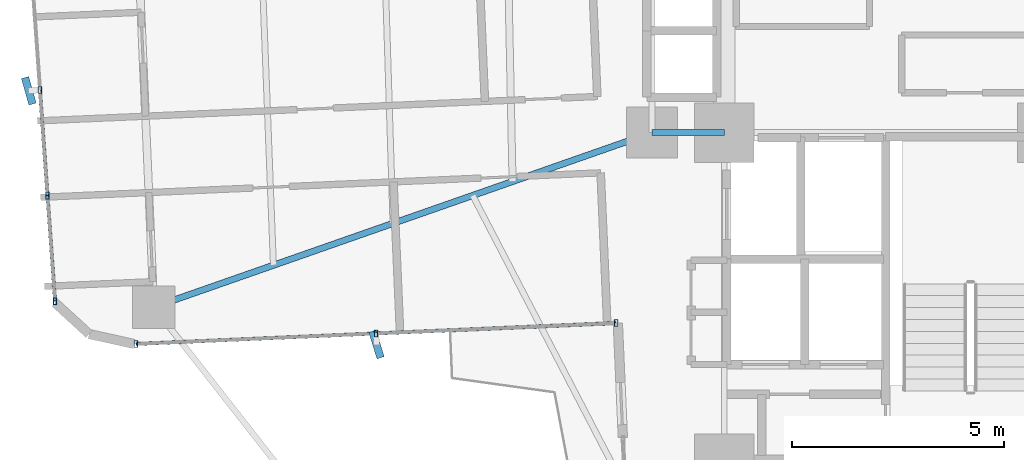
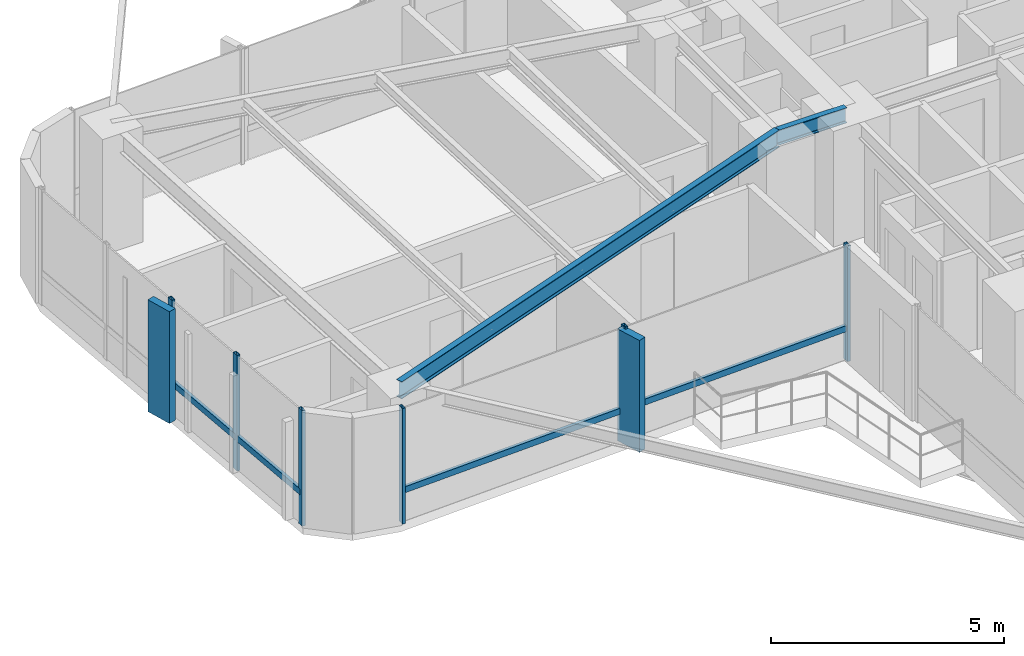
# One storey, part 8 of 26: 12 members, 2 beams, 2 elements without a shape of their own.
"""IFC4 building model written with IfcOpenShell, lengths in metres."""

from ifc_helpers import new_model, si_unit, direction, frame, origin, origin_2d, place, context, subcontext, project, spatial, rectangle, hollow_rectangle, i_section, extrude, source, transform, mapped, material, material_profile, profile_set, type_object, element, aggregate, save


model = new_model("IFC4")

# Units and contexts
model_context = context("Model", 3, precision=1e-05, world=origin(), true_north=direction((0.0, 1.0)))
body_context = subcontext(model_context, "Body", "Model", "MODEL_VIEW")
ifc_project = project(units=[si_unit("LENGTHUNIT", "METRE"), si_unit("AREAUNIT", "SQUARE_METRE"), si_unit("VOLUMEUNIT", "CUBIC_METRE"), si_unit("PLANEANGLEUNIT", "RADIAN"), si_unit("MASSUNIT", "GRAM", prefix="KILO")], contexts=[model_context])

# Site, building, storey
site_placement = place(None, origin())
site = spatial("IfcSite", under=ifc_project, at=site_placement, CompositionType="ELEMENT")
building_placement = place(site_placement, origin())
building = spatial("IfcBuilding", under=site, at=building_placement, Name="Sahyath Konkavel Grand Hotel", CompositionType="ELEMENT")
storey_placement = place(building_placement, frame((0.0, 0.0, 134.89990234375)))
storey = spatial("IfcBuildingStorey", under=building, at=storey_placement, Name="L37", CompositionType="ELEMENT", Elevation=134.89990234375)

# Beams
ifc_material_1 = material(Name="Steel E350", Category="steel")
ifc_material_profile_1 = material_profile(ifc_material_1, i_section(OverallWidth=0.139892578125, OverallDepth=0.39990234375, WebThickness=0.0087890625, FlangeThickness=0.01611328125, FilletRadius=0.013916015625, at=origin_2d()), Name="ISMB 400")
ifc_profile_set_1 = profile_set([ifc_material_profile_1], Name="Steel E350")
beam_type_1 = type_object("IfcBeamType", Name="BM-ISMB400", PredefinedType="BEAM", material=ifc_profile_set_1)
shared_shape_1 = source(origin(), body_context, "Body", "SweptSolid", [
    extrude(i_section(OverallWidth=0.139892578125, OverallDepth=0.39990234375, WebThickness=0.0087890625, FlangeThickness=0.01611328125, FilletRadius=0.013916015625, at=origin_2d()), origin(), (0.0, 0.0, 1.0), 1.699951171875),
])
beam_1_placement = place(storey_placement, frame((-5.5, -2.39990234375, 2.830078125), z_axis=(1.0, 0.0, 0.0), x_axis=(0.0, 1.0, 0.0)))
element("IfcBeam", 1, at=beam_1_placement, inside=storey, type_object=beam_type_1, Name="str:bm:L37:HB-SW", PredefinedType="BEAM", context=body_context, shape_type="MappedRepresentation", body=[
    mapped(shared_shape_1, transform((0.0, 0.0, 0.0), scale=1.0)),
])
ifc_material_profile_2 = material_profile(ifc_material_1, i_section(OverallWidth=0.14990234375, OverallDepth=0.449951171875, WebThickness=0.009521484375, FlangeThickness=0.017333984375, FilletRadius=0.014892578125, at=origin_2d()), Name="ISMB 450")
ifc_profile_set_2 = profile_set([ifc_material_profile_2], Name="Steel E350")
beam_type_2 = type_object("IfcBeamType", Name="BM-ISMB450", PredefinedType="BEAM", material=ifc_profile_set_2)
shared_shape_2 = source(origin(), body_context, "Body", "SweptSolid", [
    extrude(i_section(OverallWidth=0.14990234375, OverallDepth=0.449951171875, WebThickness=0.009521484375, FlangeThickness=0.017333984375, FilletRadius=0.014892578125, at=origin_2d()), origin(), (0.0, 0.0, 1.0), 12.430908203125),
])
beam_2_placement = place(storey_placement, frame((-5.5, -2.39990234375, 2.80517578125), z_axis=(-0.943819157235, -0.330462400941, 0.0), x_axis=(0.330462400941, -0.943819157235, 0.0)))
element("IfcBeam", 2, at=beam_2_placement, inside=storey, type_object=beam_type_2, Name="L37 Cruciform Radial Girder WB", PredefinedType="BEAM", context=body_context, shape_type="MappedRepresentation", body=[
    mapped(shared_shape_2, transform((0.0, 0.0, 0.0), scale=1.0)),
])

# Curtain wall, members
ifc_material_2 = material(Name="Anodised Bronze Aluminium & Low-E Glazing", Category="aluminium")
curtain_wall_type = type_object("IfcCurtainWallType", Name="CW-ZONE2", PredefinedType="NOTDEFINED", material=ifc_material_2)
curtain_wall_1_placement = place(storey_placement, origin())
curtain_wall_1 = element("IfcCurtainWall", 3, at=curtain_wall_1_placement, inside=storey, type_object=curtain_wall_type, Name="L37 Unitised Curtain Wall F20", PredefinedType="NOTDEFINED")
ifc_material_3 = material(Name="Anodised Bronze Aluminium", Category="aluminium")
ifc_material_profile_3 = material_profile(ifc_material_3, hollow_rectangle(XDim=0.080078125, YDim=0.159912109375, WallThickness=0.006103515625, at=origin_2d()), Name="RHS 160x80x6")
ifc_profile_set_3 = profile_set([ifc_material_profile_3], Name="Anodised Bronze Aluminium")
member_type_1 = type_object("IfcMemberType", Name="CW-MUL-160", PredefinedType="MULLION", material=ifc_profile_set_3)
shared_shape_3 = source(origin(), body_context, "Body", "SweptSolid", [
    extrude(hollow_rectangle(XDim=0.080078125, YDim=0.159912109375, WallThickness=0.006103515625, at=origin_2d()), origin(), (0.0, 0.0, 1.0), 3.030029296875),
])
member_1_placement = place(storey_placement, frame((-19.91748046875, -1.39501953125, 0.0), z_axis=(0.0, 0.0, 1.0), x_axis=(1.0, 0.0, 0.0)))
member_1 = element("IfcMember", 4, at=member_1_placement, type_object=member_type_1, Name="L37 Curtain Wall Mullion F20-2", PredefinedType="MULLION", context=body_context, shape_type="MappedRepresentation", body=[
    mapped(shared_shape_3, transform((0.0, 0.0, 0.0), scale=1.0)),
])
member_2_placement = place(storey_placement, frame((-19.739013671875, -3.882080078125, 0.0), z_axis=(0.0, 0.0, 1.0), x_axis=(1.0, 0.0, 0.0)))
member_2 = element("IfcMember", 5, at=member_2_placement, type_object=member_type_1, Name="L37 Curtain Wall Mullion F20-3", PredefinedType="MULLION", context=body_context, shape_type="MappedRepresentation", body=[
    mapped(shared_shape_3, transform((0.0, 0.0, 0.0), scale=1.0)),
])
member_3_placement = place(storey_placement, frame((-19.560546875, -6.369384765625, 0.0), z_axis=(0.0, 0.0, 1.0), x_axis=(1.0, 0.0, 0.0)))
member_3 = element("IfcMember", 6, at=member_3_placement, type_object=member_type_1, Name="L37 Curtain Wall Mullion F20-4", PredefinedType="MULLION", context=body_context, shape_type="MappedRepresentation", body=[
    mapped(shared_shape_3, transform((0.0, 0.0, 0.0), scale=1.0)),
])

curtain_wall_2_placement = place(storey_placement, origin())
curtain_wall_2 = element("IfcCurtainWall", 7, at=curtain_wall_2_placement, inside=storey, type_object=curtain_wall_type, Name="L37 Unitised Curtain Wall F23", PredefinedType="NOTDEFINED")
member_4_placement = place(storey_placement, frame((-17.655029296875, -7.377197265625, 0.0), z_axis=(0.0, 0.0, 1.0), x_axis=(1.0, 0.0, 0.0)))
member_4 = element("IfcMember", 8, at=member_4_placement, type_object=member_type_1, Name="L37 Curtain Wall Mullion F23-0", PredefinedType="MULLION", context=body_context, shape_type="MappedRepresentation", body=[
    mapped(shared_shape_3, transform((0.0, 0.0, 0.0), scale=1.0)),
])
member_5_placement = place(storey_placement, frame((-12.00048828125, -7.13037109375, 0.0), z_axis=(0.0, 0.0, 1.0), x_axis=(1.0, 0.0, 0.0)))
member_5 = element("IfcMember", 9, at=member_5_placement, type_object=member_type_1, Name="L37 Curtain Wall Mullion F23-1", PredefinedType="MULLION", context=body_context, shape_type="MappedRepresentation", body=[
    mapped(shared_shape_3, transform((0.0, 0.0, 0.0), scale=1.0)),
])
member_6_placement = place(storey_placement, frame((-6.345703125, -6.88330078125, 0.0), z_axis=(0.0, 0.0, 1.0), x_axis=(1.0, 0.0, 0.0)))
member_6 = element("IfcMember", 10, at=member_6_placement, type_object=member_type_1, Name="L37 Curtain Wall Mullion F23-2", PredefinedType="MULLION", context=body_context, shape_type="MappedRepresentation", body=[
    mapped(shared_shape_3, transform((0.0, 0.0, 0.0), scale=1.0)),
])

# Member
ifc_material_4 = material(Name="Warm Buff Sandstone Cladding on Concrete C50/60", Category="masonry")
ifc_material_profile_4 = material_profile(ifc_material_4, rectangle(XDim=0.179931640625, YDim=0.64990234375, at=origin_2d()), Name="FIN 180x650")
ifc_profile_set_4 = profile_set([ifc_material_profile_4], Name="Warm Buff Sandstone Cladding on Concrete C50/60")
member_type_2 = type_object("IfcMemberType", Name="FIN-SANDSTONE-650", PredefinedType="MULLION", material=ifc_profile_set_4)
shared_shape_4 = source(origin(), body_context, "Body", "SweptSolid", [
    extrude(rectangle(XDim=0.179931640625, YDim=0.64990234375, at=origin_2d()), origin(), (0.0, 0.0, 1.0), 2.929931640625),
])
member_7_placement = place(storey_placement, frame((-20.1767578125, -1.413818359375, 0.050048828125), z_axis=(0.0, 0.0, 1.0), x_axis=(0.962360427228, 0.271776393577, 0.0)))
member_7 = element("IfcMember", 11, at=member_7_placement, type_object=member_type_2, Name="L37 Sandstone Vertical Solar Fin FIN F20-2", PredefinedType="MULLION", context=body_context, shape_type="MappedRepresentation", body=[
    mapped(shared_shape_4, transform((0.0, 0.0, 0.0), scale=1.0)),
])

member_8_placement = place(storey_placement, frame((-11.989013671875, -7.39013671875, 0.050048828125), z_axis=(0.0, 0.0, 1.0), x_axis=(0.954812686667, 0.297208232354, 0.0)))
member_8 = element("IfcMember", 12, at=member_8_placement, type_object=member_type_2, Name="L37 Sandstone Vertical Solar Fin FIN F23-1", PredefinedType="MULLION", context=body_context, shape_type="MappedRepresentation", body=[
    mapped(shared_shape_4, transform((0.0, 0.0, 0.0), scale=1.0)),
])

ifc_material_profile_5 = material_profile(ifc_material_3, hollow_rectangle(XDim=0.080078125, YDim=0.159912109375, WallThickness=0.006103515625, at=origin_2d()), Name="RHS 160x80x6")
ifc_profile_set_5 = profile_set([ifc_material_profile_5], Name="Anodised Bronze Aluminium")
member_type_3 = type_object("IfcMemberType", Name="CW-TRN-160", PredefinedType="USERDEFINED", material=ifc_profile_set_5)
shared_shape_5 = source(origin(), body_context, "Body", "SweptSolid", [
    extrude(hollow_rectangle(XDim=0.080078125, YDim=0.159912109375, WallThickness=0.006103515625, at=origin_2d()), origin(), (0.0, 0.0, 1.0), 2.493408203125),
])
member_9_placement = place(storey_placement, frame((-19.91748046875, -1.39501953125, 0.85009765625), z_axis=(0.071574084062, -0.997435286367, 0.0), x_axis=(0.997435286367, 0.071574084062, 0.0)))
member_9 = element("IfcMember", 13, at=member_9_placement, type_object=member_type_3, Name="L37 Curtain Wall Transom F20-2-spandrel", ObjectType="TRANSOM", PredefinedType="USERDEFINED", context=body_context, shape_type="MappedRepresentation", body=[
    mapped(shared_shape_5, transform((0.0, 0.0, 0.0), scale=1.0)),
])

shared_shape_6 = source(origin(), body_context, "Body", "SweptSolid", [
    extrude(hollow_rectangle(XDim=0.080078125, YDim=0.159912109375, WallThickness=0.006103515625, at=origin_2d()), origin(), (0.0, 0.0, 1.0), 2.49365234375),
])
member_10_placement = place(storey_placement, frame((-19.739013671875, -3.882080078125, 0.85009765625), z_axis=(0.071567094714, -0.997435787885, 0.0), x_axis=(0.997435787885, 0.071567094714, 0.0)))
member_10 = element("IfcMember", 14, at=member_10_placement, type_object=member_type_3, Name="L37 Curtain Wall Transom F20-3-spandrel", ObjectType="TRANSOM", PredefinedType="USERDEFINED", context=body_context, shape_type="MappedRepresentation", body=[
    mapped(shared_shape_6, transform((0.0, 0.0, 0.0), scale=1.0)),
])

aggregate(curtain_wall_1, [member_1, member_7, member_2, member_3, member_9, member_10])

shared_shape_7 = source(origin(), body_context, "Body", "SweptSolid", [
    extrude(hollow_rectangle(XDim=0.080078125, YDim=0.159912109375, WallThickness=0.006103515625, at=origin_2d()), origin(), (0.0, 0.0, 1.0), 5.659912109375),
])
member_11_placement = place(storey_placement, frame((-17.655029296875, -7.377197265625, 0.85009765625), z_axis=(0.999048655935, 0.043609437898, 0.0), x_axis=(-0.043609437898, 0.999048655935, 0.0)))
member_11 = element("IfcMember", 15, at=member_11_placement, type_object=member_type_3, Name="L37 Curtain Wall Transom F23-0-spandrel", ObjectType="TRANSOM", PredefinedType="USERDEFINED", context=body_context, shape_type="MappedRepresentation", body=[
    mapped(shared_shape_7, transform((0.0, 0.0, 0.0), scale=1.0)),
])

shared_shape_8 = source(origin(), body_context, "Body", "SweptSolid", [
    extrude(hollow_rectangle(XDim=0.080078125, YDim=0.159912109375, WallThickness=0.006103515625, at=origin_2d()), origin(), (0.0, 0.0, 1.0), 5.66015625),
])
member_12_placement = place(storey_placement, frame((-12.00048828125, -7.13037109375, 0.85009765625), z_axis=(0.9990468579, 0.043650609628, 0.0), x_axis=(-0.043650609628, 0.9990468579, 0.0)))
member_12 = element("IfcMember", 16, at=member_12_placement, type_object=member_type_3, Name="L37 Curtain Wall Transom F23-1-spandrel", ObjectType="TRANSOM", PredefinedType="USERDEFINED", context=body_context, shape_type="MappedRepresentation", body=[
    mapped(shared_shape_8, transform((0.0, 0.0, 0.0), scale=1.0)),
])

aggregate(curtain_wall_2, [member_4, member_5, member_8, member_6, member_11, member_12])

save(model, "model.ifc")
